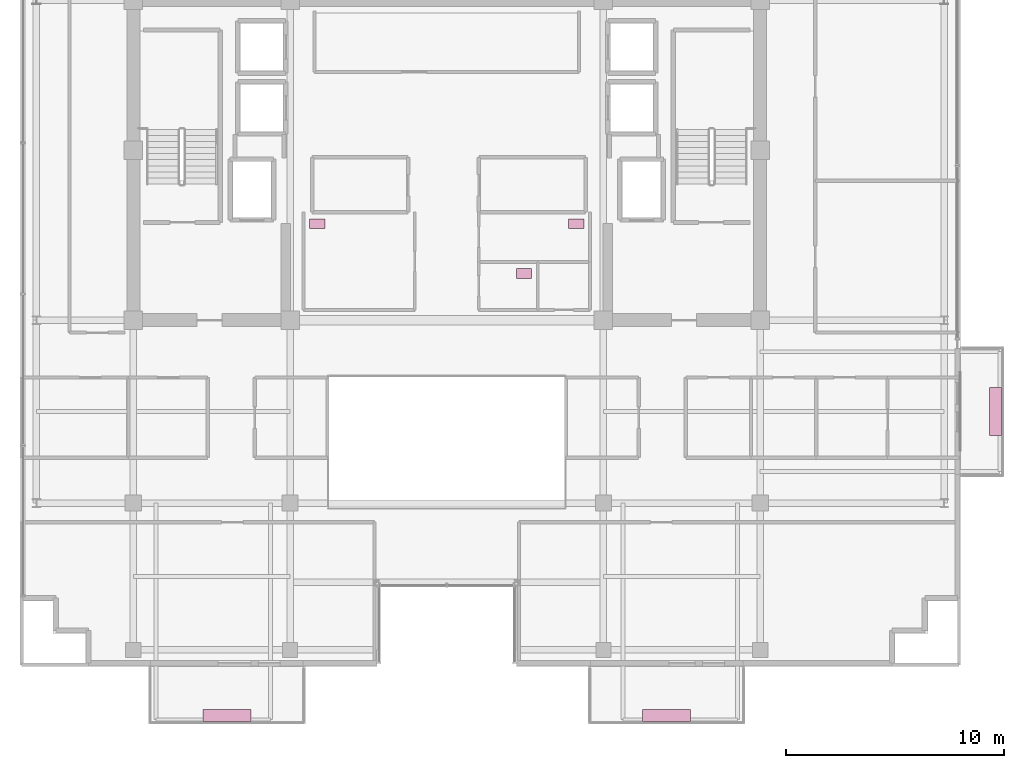
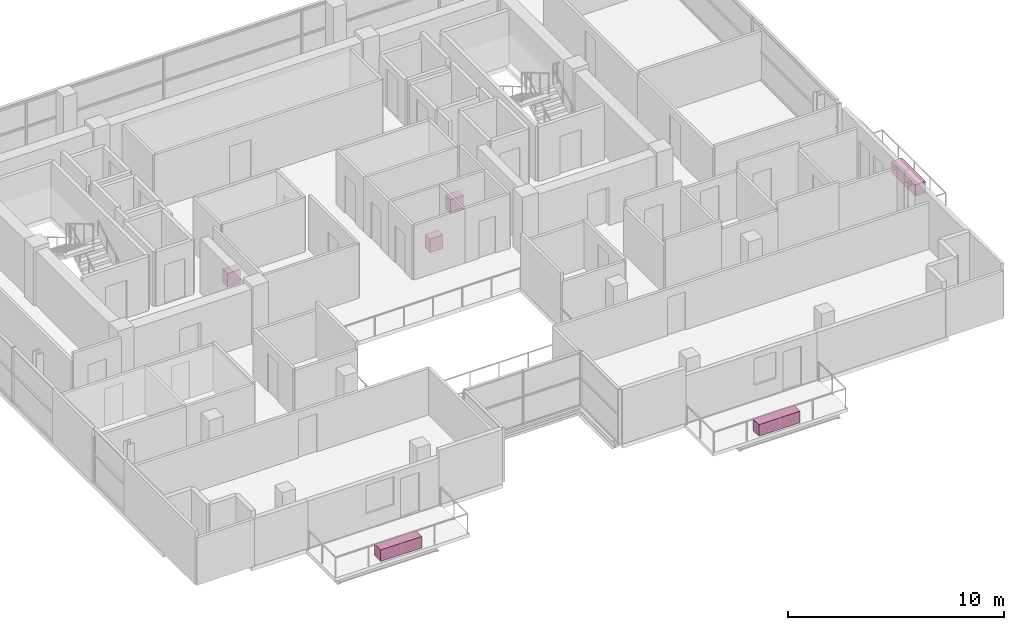
# One storey, part 22 of 22: 6 furnishings.
"""IFC4 building model written with IfcOpenShell, lengths in metres."""

from ifc_helpers import new_model, si_unit, direction, frame, origin, origin_2d, place, context, subcontext, project, spatial, rectangle, extrude, source, transform, mapped, material, type_object, element, save


model = new_model("IFC4")

# Units and contexts
model_context = context("Model", 3, precision=1e-05, world=origin(), true_north=direction((0.0, 1.0)))
body_context = subcontext(model_context, "Body", "Model", "MODEL_VIEW")
ifc_project = project(units=[si_unit("LENGTHUNIT", "METRE"), si_unit("AREAUNIT", "SQUARE_METRE"), si_unit("VOLUMEUNIT", "CUBIC_METRE"), si_unit("PLANEANGLEUNIT", "RADIAN"), si_unit("MASSUNIT", "GRAM", prefix="KILO")], contexts=[model_context])

# Site, building, storey
site_placement = place(None, origin())
site = spatial("IfcSite", under=ifc_project, at=site_placement, CompositionType="ELEMENT")
building_placement = place(site_placement, origin())
building = spatial("IfcBuilding", under=site, at=building_placement, Name="Zarnakvel Exchange Tower", CompositionType="ELEMENT")
storey_placement = place(building_placement, frame((0.0, 0.0, 251.800048828125)))
storey = spatial("IfcBuildingStorey", under=building, at=storey_placement, Name="L71", CompositionType="ELEMENT", Elevation=251.800048828125)

# Furnishings
ifc_material_1 = material(Name="Architectural Bronze Anodised Aluminium", Category="aluminium")
furnishing_element_type_1 = type_object("IfcFurnishingElementType", Name="PLNT-01", material=ifc_material_1)
shared_shape_1 = source(origin(), body_context, "Body", "SweptSolid", [
    extrude(rectangle(XDim=2.199951171875, YDim=0.550048828125, at=origin_2d()), origin(), (0.0, 0.0, 1.0), 0.64990234375),
])
for number, where, z_axis, x_axis, name in (
    (1, (-10.10009765625, -19.3701171875, -0.034912109375), (0.0, 0.0, 1.0), (1.0, 0.0, 0.0), "L71 Balcony Greenery Planter BAL-L71-SW"),
    (2, (10.10009765625, -19.3701171875, -0.034912109375), (0.0, 0.0, 1.0), (1.0, 0.0, 0.0), "L71 Balcony Greenery Planter BAL-L71-SE"),
    (3, (25.219970703125, -5.39990234375, -0.034912109375), (0.0, 0.0, 1.0), (0.0, 1.0, 0.0), "L71 Balcony Greenery Planter BAL-L71-E"),
):
    element("IfcFurnishingElement", number, at=place(storey_placement, frame(where, z_axis=z_axis, x_axis=x_axis)), inside=storey, type_object=furnishing_element_type_1, Name=name, ObjectType="PLANTER", context=body_context, shape_type="MappedRepresentation", body=[
        mapped(shared_shape_1, transform((0.0, 0.0, 0.0), x_axis=(1.0, 0.0, 0.0), y_axis=(0.0, 1.0, 0.0), z_axis=(0.0, 0.0, 1.0), scale=1.0)),
    ])
ifc_material_2 = material(Name="Vitreous China Sanitaryware", Category="ceramic")
furnishing_element_type_2 = type_object("IfcFurnishingElementType", Name="SAN-WC", material=ifc_material_2)
shared_shape_2 = source(origin(), body_context, "Body", "SweptSolid", [
    extrude(rectangle(XDim=0.699951171875, YDim=0.449951171875, at=origin_2d()), origin(), (0.0, 0.0, 1.0), 0.780029296875),
])
for number, where, z_axis, x_axis, name in (
    (4, (-5.949951171875, 3.22998046875, 0.0), (0.0, 0.0, 1.0), (1.0, 0.0, 0.0), "L71 Sanitary Fixture (Male Toilet)"),
    (5, (5.949951171875, 3.22998046875, 0.0), (0.0, 0.0, 1.0), (1.0, 0.0, 0.0), "L71 Sanitary Fixture (Female Toilet)"),
    (6, (3.550048828125, 0.949951171875, 0.0), (0.0, 0.0, 1.0), (1.0, 0.0, 0.0), "L71 Sanitary Fixture (Accessible Toilet)"),
):
    element("IfcFurnishingElement", number, at=place(storey_placement, frame(where, z_axis=z_axis, x_axis=x_axis)), inside=storey, type_object=furnishing_element_type_2, Name=name, ObjectType="SANITARY_FIXTURE", context=body_context, shape_type="MappedRepresentation", body=[
        mapped(shared_shape_2, transform((0.0, 0.0, 0.0), x_axis=(1.0, 0.0, 0.0), y_axis=(0.0, 1.0, 0.0), z_axis=(0.0, 0.0, 1.0), scale=1.0)),
    ])

save(model, "model.ifc")
